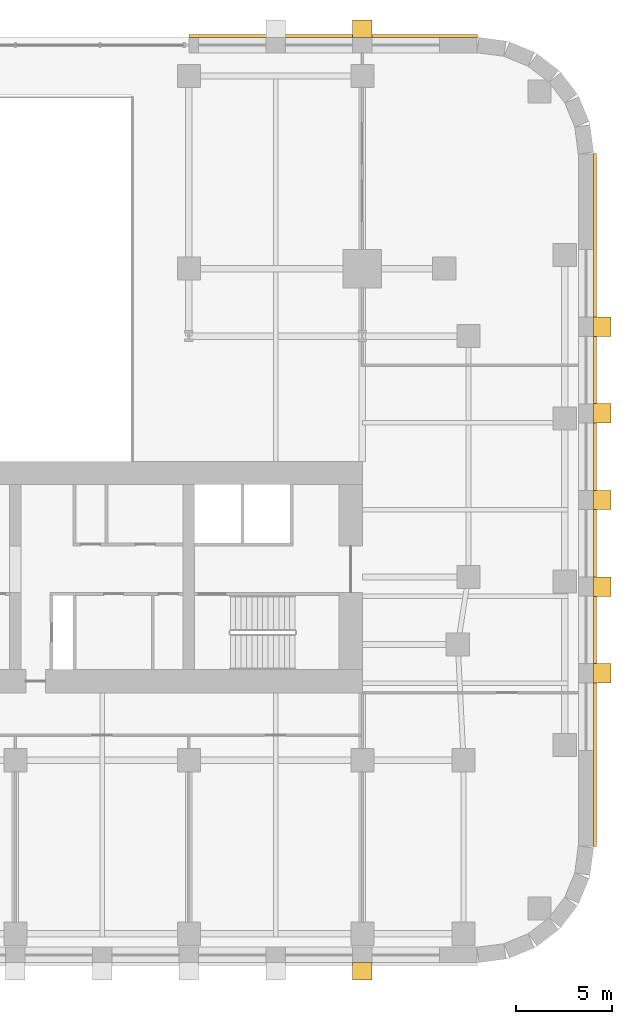
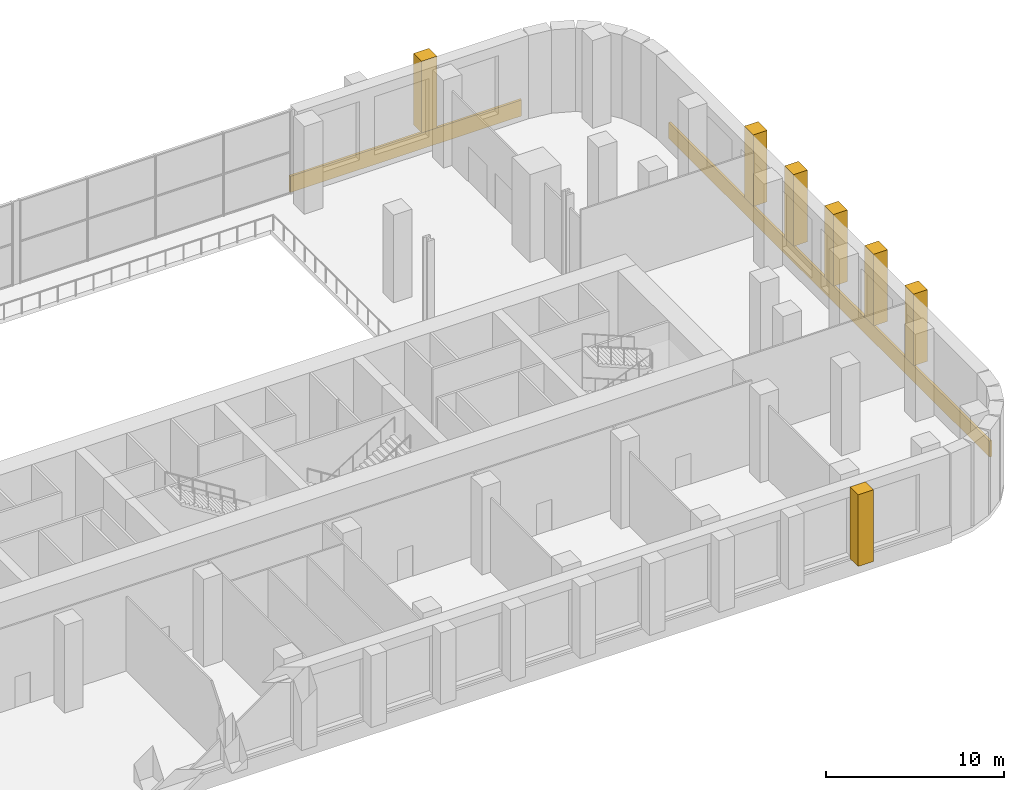
# One storey, part 13 of 13: 9 coverings.
"""IFC4 building model written with IfcOpenShell, lengths in metres."""

from ifc_helpers import new_model, si_unit, direction, frame, origin, place, context, subcontext, project, spatial, polyline, outline, extrude, material, layer, layer_set, type_object, element, save


model = new_model("IFC4")

# Units and contexts
model_context = context("Model", 3, precision=1e-05, world=origin(), true_north=direction((0.0, 1.0)))
body_context = subcontext(model_context, "Body", "Model", "MODEL_VIEW")
ifc_project = project(units=[si_unit("LENGTHUNIT", "METRE"), si_unit("AREAUNIT", "SQUARE_METRE"), si_unit("VOLUMEUNIT", "CUBIC_METRE"), si_unit("PLANEANGLEUNIT", "RADIAN"), si_unit("MASSUNIT", "GRAM", prefix="KILO")], contexts=[model_context])

# Site, building, storey
site_placement = place(None, origin())
site = spatial("IfcSite", under=ifc_project, at=site_placement, CompositionType="ELEMENT")
building_placement = place(site_placement, origin())
building = spatial("IfcBuilding", under=site, at=building_placement, Name="Zellij Exchange Tower", CompositionType="ELEMENT")
storey_placement = place(building_placement, frame((0.0, 0.0, 15.0)))
storey = spatial("IfcBuildingStorey", under=building, at=storey_placement, Name="L02", CompositionType="ELEMENT", Elevation=15.0)

# Coverings
ifc_material = material(Name="Limestone cladding", Category="masonry")
ifc_layer = layer(ifc_material, 0.14990234375)
ifc_layer_set = layer_set([ifc_layer], Name="Limestone cladding")
covering_type_1 = type_object("IfcCoveringType", Name="ENV-CV1 Stone spandrel band 150", PredefinedType="CLADDING", material=ifc_layer_set)
covering_1_placement = place(storey_placement, frame((0.0, 0.0, -0.300048828125)))
element("IfcCovering", 1, at=covering_1_placement, inside=storey, type_object=covering_type_1, Name="Stone spandrel band", PredefinedType="CLADDING", context=body_context, shape_type="SweptSolid", body=[
    extrude(outline(polyline([(39.0, -21.973876953125), (39.0, 13.973876953125), (39.14990234375, 13.983642578125), (39.14990234375, -21.983642578125), (39.0, -21.973876953125)])), origin(), (0.0, 0.0, 1.0), 1.10009765625),
])
covering_2_placement = place(storey_placement, frame((0.0, 0.0, -0.300048828125)))
element("IfcCovering", 2, at=covering_2_placement, inside=storey, type_object=covering_type_1, Name="Stone spandrel band", PredefinedType="CLADDING", context=body_context, shape_type="SweptSolid", body=[
    extrude(outline(polyline([(32.973876953125, 20.0), (18.0, 20.0), (18.0, 20.14990234375), (32.983642578125, 20.14990234375), (32.973876953125, 20.0)])), origin(), (0.0, 0.0, 1.0), 1.10009765625),
])
covering_type_2 = type_object("IfcCoveringType", Name="ENV-CV2 Stone pier 1000x900", PredefinedType="CLADDING", material=ifc_material)
covering_3_placement = place(storey_placement, frame((0.0, 0.0, 0.800048828125)))
element("IfcCovering", 3, at=covering_3_placement, inside=storey, type_object=covering_type_2, Name="Stone pier", PredefinedType="CLADDING", context=body_context, shape_type="SweptSolid", body=[
    extrude(outline(polyline([(26.5, -28.0), (27.5, -28.0), (27.5, -28.89990234375), (26.5, -28.89990234375), (26.5, -28.0)])), origin(), (0.0, 0.0, 1.0), 4.89990234375),
])
covering_4_placement = place(storey_placement, frame((0.0, 0.0, 0.800048828125)))
element("IfcCovering", 4, at=covering_4_placement, inside=storey, type_object=covering_type_2, Name="Stone pier", PredefinedType="CLADDING", context=body_context, shape_type="SweptSolid", body=[
    extrude(outline(polyline([(39.0, -13.48681640625), (39.0, -12.48681640625), (39.89990234375, -12.48681640625), (39.89990234375, -13.48681640625), (39.0, -13.48681640625)])), origin(), (0.0, 0.0, 1.0), 4.89990234375),
])
covering_5_placement = place(storey_placement, frame((0.0, 0.0, 0.800048828125)))
element("IfcCovering", 5, at=covering_5_placement, inside=storey, type_object=covering_type_2, Name="Stone pier", PredefinedType="CLADDING", context=body_context, shape_type="SweptSolid", body=[
    extrude(outline(polyline([(39.0, -8.993408203125), (39.0, -7.993408203125), (39.89990234375, -7.993408203125), (39.89990234375, -8.993408203125), (39.0, -8.993408203125)])), origin(), (0.0, 0.0, 1.0), 4.89990234375),
])
covering_6_placement = place(storey_placement, frame((0.0, 0.0, 0.800048828125)))
element("IfcCovering", 6, at=covering_6_placement, inside=storey, type_object=covering_type_2, Name="Stone pier", PredefinedType="CLADDING", context=body_context, shape_type="SweptSolid", body=[
    extrude(outline(polyline([(39.0, -4.5), (39.0, -3.5), (39.89990234375, -3.5), (39.89990234375, -4.5), (39.0, -4.5)])), origin(), (0.0, 0.0, 1.0), 4.89990234375),
])
covering_7_placement = place(storey_placement, frame((0.0, 0.0, 0.800048828125)))
element("IfcCovering", 7, at=covering_7_placement, inside=storey, type_object=covering_type_2, Name="Stone pier", PredefinedType="CLADDING", context=body_context, shape_type="SweptSolid", body=[
    extrude(outline(polyline([(39.0, -0.006591796875), (39.0, 0.993408203125), (39.89990234375, 0.993408203125), (39.89990234375, -0.006591796875), (39.0, -0.006591796875)])), origin(), (0.0, 0.0, 1.0), 4.89990234375),
])
covering_8_placement = place(storey_placement, frame((0.0, 0.0, 0.800048828125)))
element("IfcCovering", 8, at=covering_8_placement, inside=storey, type_object=covering_type_2, Name="Stone pier", PredefinedType="CLADDING", context=body_context, shape_type="SweptSolid", body=[
    extrude(outline(polyline([(39.0, 4.48681640625), (39.0, 5.48681640625), (39.89990234375, 5.48681640625), (39.89990234375, 4.48681640625), (39.0, 4.48681640625)])), origin(), (0.0, 0.0, 1.0), 4.89990234375),
])
covering_9_placement = place(storey_placement, frame((0.0, 0.0, 0.800048828125)))
element("IfcCovering", 9, at=covering_9_placement, inside=storey, type_object=covering_type_2, Name="Stone pier", PredefinedType="CLADDING", context=body_context, shape_type="SweptSolid", body=[
    extrude(outline(polyline([(27.5, 20.0), (26.5, 20.0), (26.5, 20.89990234375), (27.5, 20.89990234375), (27.5, 20.0)])), origin(), (0.0, 0.0, 1.0), 4.89990234375),
])

save(model, "model.ifc")
